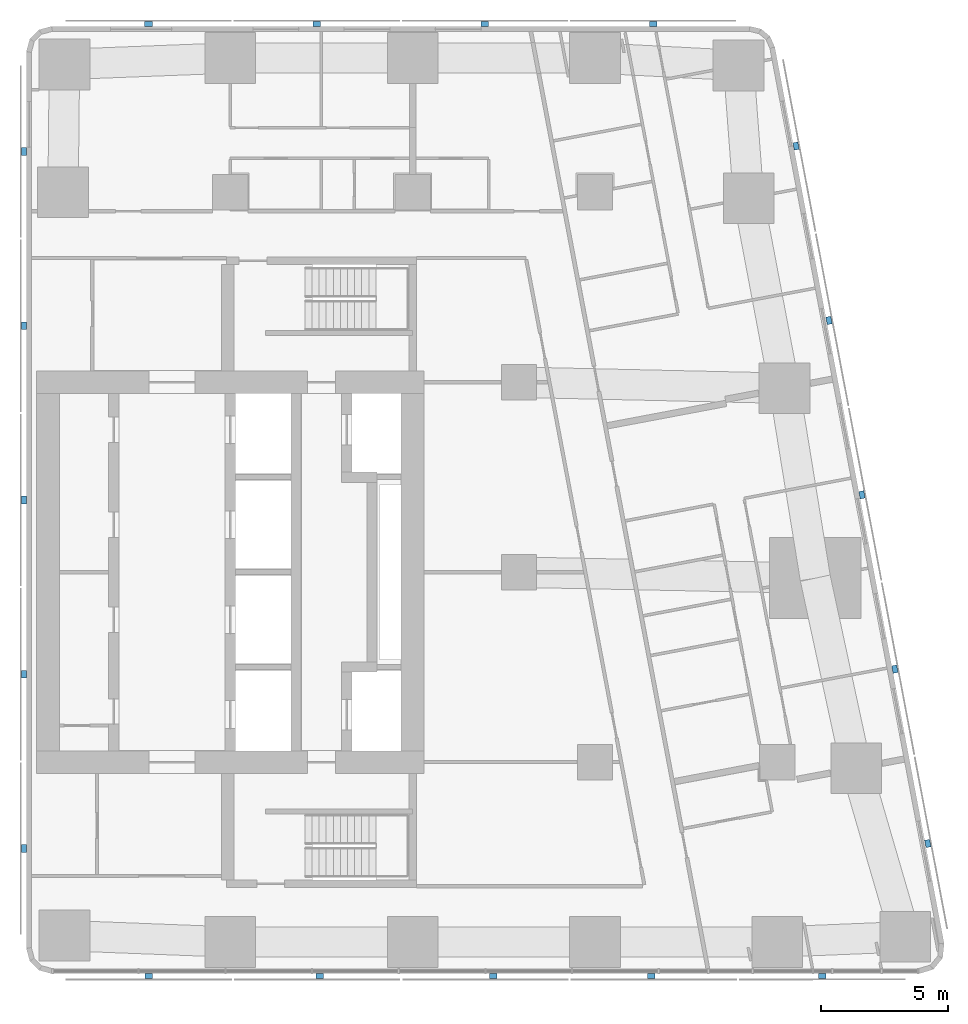
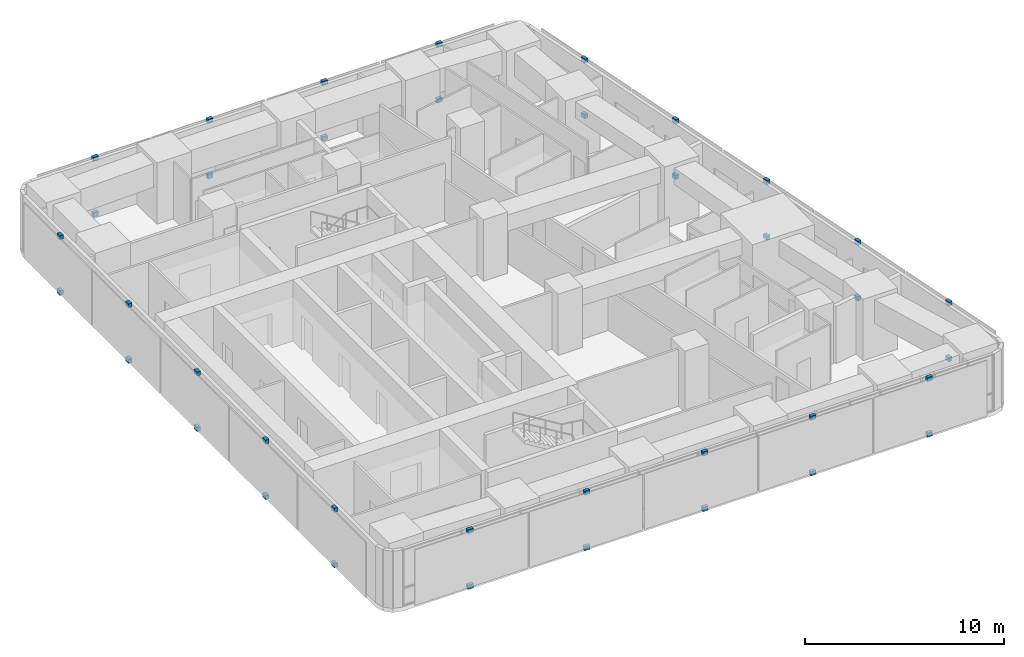
# One storey, part 9 of 11: 38 discrete accessories.
"""IFC4 building model written with IfcOpenShell, lengths in metres."""

from ifc_helpers import new_model, si_unit, direction, frame, origin, origin_2d, place, context, subcontext, project, spatial, rectangle, extrude, material, type_object, element, save


model = new_model("IFC4")

# Units and contexts
model_context = context("Model", 3, precision=1e-05, world=origin(), true_north=direction((0.0, 1.0)))
body_context = subcontext(model_context, "Body", "Model", "MODEL_VIEW")
ifc_project = project(units=[si_unit("LENGTHUNIT", "METRE"), si_unit("AREAUNIT", "SQUARE_METRE"), si_unit("VOLUMEUNIT", "CUBIC_METRE"), si_unit("PLANEANGLEUNIT", "RADIAN"), si_unit("MASSUNIT", "GRAM", prefix="KILO")], contexts=[model_context])

# Site, building, storey
site_placement = place(None, origin())
site = spatial("IfcSite", under=ifc_project, at=site_placement, CompositionType="ELEMENT")
building_placement = place(site_placement, origin())
building = spatial("IfcBuilding", under=site, at=building_placement, Name="Sheger Commons Tower", CompositionType="ELEMENT")
storey_placement = place(building_placement, frame((0.0, 0.0, 277.85009765625)))
storey = spatial("IfcBuildingStorey", under=building, at=storey_placement, Name="L71", CompositionType="ELEMENT", Elevation=277.85009765625)

# Discrete accessories
ifc_material = material(Name="Black painted steel bracket", Category="steel")
discrete_accessory_type = type_object("IfcDiscreteAccessoryType", Name="SCREEN BRACKET 300x200x250", PredefinedType="BRACKET", material=ifc_material)
for number, where, z_axis, x_axis, name in (
    (1, (18.375, 6.550048828125, -0.10009765625), (0.0, 0.0, 1.0), (1.0, 0.0, 0.0), "Solar screen foot bracket"),
    (2, (18.375, 6.550048828125, 3.2998046875), (0.0, 0.0, 1.0), (1.0, 0.0, 0.0), "Solar screen head bracket"),
    (3, (25.1259765625, 6.550048828125, -0.10009765625), (0.0, 0.0, 1.0), (1.0, 0.0, 0.0), "Solar screen foot bracket"),
    (4, (25.1259765625, 6.550048828125, 3.2998046875), (0.0, 0.0, 1.0), (1.0, 0.0, 0.0), "Solar screen head bracket"),
    (5, (31.97607421875, 6.550048828125, -0.10009765625), (0.0, 0.0, 1.0), (1.0, 0.0, 0.0), "Solar screen foot bracket"),
    (6, (31.97607421875, 6.550048828125, 3.2998046875), (0.0, 0.0, 1.0), (1.0, 0.0, 0.0), "Solar screen head bracket"),
    (7, (38.22607421875, 6.550048828125, -0.10009765625), (0.0, 0.0, 1.0), (1.0, 0.0, 0.0), "Solar screen foot bracket"),
    (8, (38.22607421875, 6.550048828125, 3.2998046875), (0.0, 0.0, 1.0), (1.0, 0.0, 0.0), "Solar screen head bracket"),
    (9, (44.97705078125, 6.550048828125, -0.10009765625), (0.0, 0.0, 1.0), (1.0, 0.0, 0.0), "Solar screen foot bracket"),
    (10, (44.97705078125, 6.550048828125, 3.2998046875), (0.0, 0.0, 1.0), (1.0, 0.0, 0.0), "Solar screen head bracket"),
    (11, (49.139892578125, 11.7880859375, -0.10009765625), (0.0, 0.0, 1.0), (-0.185615165645, 0.982622516678, 0.0), "Solar screen foot bracket"),
    (12, (49.139892578125, 11.7880859375, 3.2998046875), (0.0, 0.0, 1.0), (-0.185615165645, 0.982622516678, 0.0), "Solar screen head bracket"),
    (13, (47.840087890625, 18.6708984375, -0.10009765625), (0.0, 0.0, 1.0), (-0.185615165645, 0.982622516678, 0.0), "Solar screen foot bracket"),
    (14, (47.840087890625, 18.6708984375, 3.2998046875), (0.0, 0.0, 1.0), (-0.185615165645, 0.982622516678, 0.0), "Solar screen head bracket"),
    (15, (46.5400390625, 25.554931640625, -0.10009765625), (0.0, 0.0, 1.0), (-0.185615165645, 0.982622516678, 0.0), "Solar screen foot bracket"),
    (16, (46.5400390625, 25.554931640625, 3.2998046875), (0.0, 0.0, 1.0), (-0.185615165645, 0.982622516678, 0.0), "Solar screen head bracket"),
    (17, (45.239013671875, 32.43798828125, -0.10009765625), (0.0, 0.0, 1.0), (-0.185615165645, 0.982622516678, 0.0), "Solar screen foot bracket"),
    (18, (45.239013671875, 32.43798828125, 3.2998046875), (0.0, 0.0, 1.0), (-0.185615165645, 0.982622516678, 0.0), "Solar screen head bracket"),
    (19, (43.93896484375, 39.322021484375, -0.10009765625), (0.0, 0.0, 1.0), (-0.185615165645, 0.982622516678, 0.0), "Solar screen foot bracket"),
    (20, (43.93896484375, 39.322021484375, 3.2998046875), (0.0, 0.0, 1.0), (-0.185615165645, 0.982622516678, 0.0), "Solar screen head bracket"),
    (21, (38.2939453125, 44.14990234375, -0.10009765625), (0.0, 0.0, 1.0), (-1.0, 0.0, 0.0), "Solar screen foot bracket"),
    (22, (38.2939453125, 44.14990234375, 3.2998046875), (0.0, 0.0, 1.0), (-1.0, 0.0, 0.0), "Solar screen head bracket"),
    (23, (31.653076171875, 44.14990234375, -0.10009765625), (0.0, 0.0, 1.0), (-1.0, 0.0, 0.0), "Solar screen foot bracket"),
    (24, (31.653076171875, 44.14990234375, 3.2998046875), (0.0, 0.0, 1.0), (-1.0, 0.0, 0.0), "Solar screen head bracket"),
    (25, (25.011962890625, 44.14990234375, -0.10009765625), (0.0, 0.0, 1.0), (-1.0, 0.0, 0.0), "Solar screen foot bracket"),
    (26, (25.011962890625, 44.14990234375, 3.2998046875), (0.0, 0.0, 1.0), (-1.0, 0.0, 0.0), "Solar screen head bracket"),
    (27, (18.37109375, 44.14990234375, -0.10009765625), (0.0, 0.0, 1.0), (-1.0, 0.0, 0.0), "Solar screen foot bracket"),
    (28, (18.37109375, 44.14990234375, 3.2998046875), (0.0, 0.0, 1.0), (-1.0, 0.0, 0.0), "Solar screen head bracket"),
    (29, (13.449951171875, 39.110107421875, -0.10009765625), (0.0, 0.0, 1.0), (0.0, -1.0, 0.0), "Solar screen foot bracket"),
    (30, (13.449951171875, 39.110107421875, 3.2998046875), (0.0, 0.0, 1.0), (0.0, -1.0, 0.0), "Solar screen head bracket"),
    (31, (13.449951171875, 32.22998046875, -0.10009765625), (0.0, 0.0, 1.0), (0.0, -1.0, 0.0), "Solar screen foot bracket"),
    (32, (13.449951171875, 32.22998046875, 3.2998046875), (0.0, 0.0, 1.0), (0.0, -1.0, 0.0), "Solar screen head bracket"),
    (33, (13.449951171875, 25.35009765625, -0.10009765625), (0.0, 0.0, 1.0), (0.0, -1.0, 0.0), "Solar screen foot bracket"),
    (34, (13.449951171875, 25.35009765625, 3.2998046875), (0.0, 0.0, 1.0), (0.0, -1.0, 0.0), "Solar screen head bracket"),
    (35, (13.449951171875, 18.469970703125, -0.10009765625), (0.0, 0.0, 1.0), (0.0, -1.0, 0.0), "Solar screen foot bracket"),
    (36, (13.449951171875, 18.469970703125, 3.2998046875), (0.0, 0.0, 1.0), (0.0, -1.0, 0.0), "Solar screen head bracket"),
    (37, (13.449951171875, 11.590087890625, -0.10009765625), (0.0, 0.0, 1.0), (0.0, -1.0, 0.0), "Solar screen foot bracket"),
    (38, (13.449951171875, 11.590087890625, 3.2998046875), (0.0, 0.0, 1.0), (0.0, -1.0, 0.0), "Solar screen head bracket"),
):
    element("IfcDiscreteAccessory", number, at=place(storey_placement, frame(where, z_axis=z_axis, x_axis=x_axis)), inside=storey, type_object=discrete_accessory_type, Name=name, PredefinedType="BRACKET", context=body_context, shape_type="SweptSolid", body=[
        extrude(rectangle(XDim=0.300048828125, YDim=0.199951171875, at=origin_2d()), origin(), (0.0, 0.0, 1.0), 0.25),
    ])

save(model, "model.ifc")
